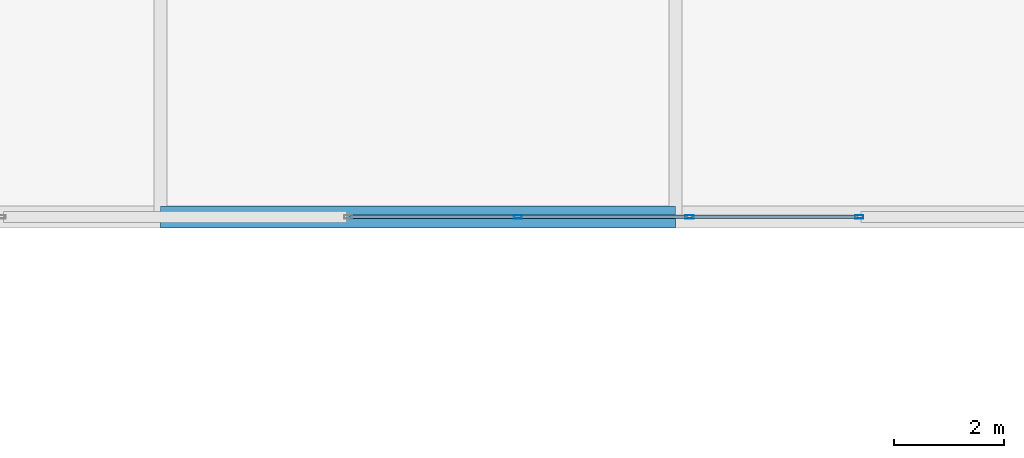
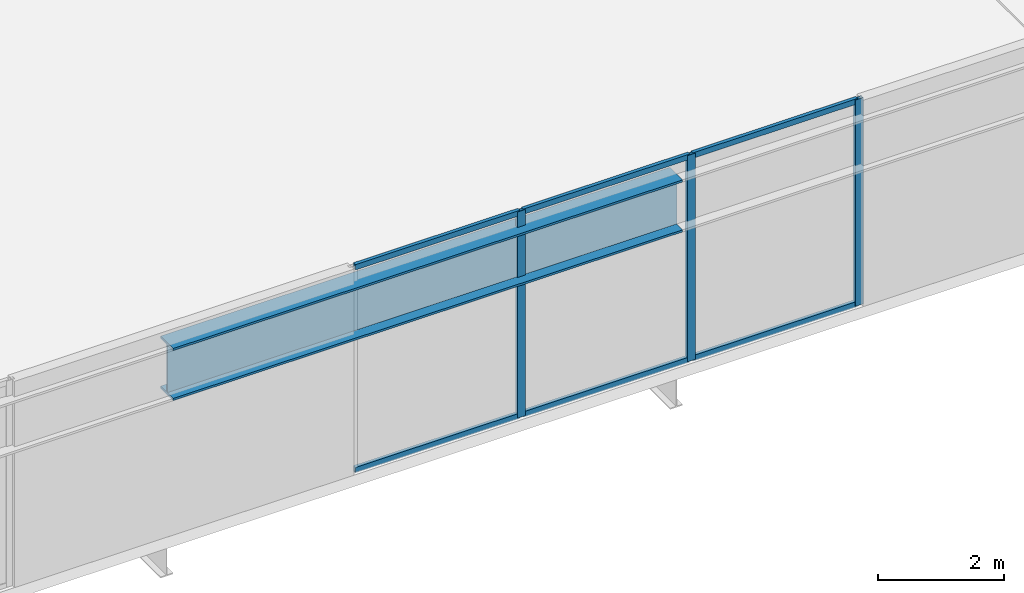
# One storey, part 21 of 51: 9 members, 1 beam, 1 element without a shape of its own.
"""IFC4 building model written with IfcOpenShell, lengths in metres."""

from ifc_helpers import new_model, si_unit, direction, frame, origin, origin_2d, place, context, subcontext, project, spatial, hollow_rectangle, i_section, extrude, material, material_profile, profile_set, type_object, element, aggregate, save


model = new_model("IFC4")

# Units and contexts
model_context = context("Model", 3, precision=1e-05, world=origin(), true_north=direction((0.0, 1.0)))
body_context = subcontext(model_context, "Body", "Model", "MODEL_VIEW")
ifc_project = project(units=[si_unit("LENGTHUNIT", "METRE"), si_unit("AREAUNIT", "SQUARE_METRE"), si_unit("VOLUMEUNIT", "CUBIC_METRE"), si_unit("PLANEANGLEUNIT", "RADIAN"), si_unit("MASSUNIT", "GRAM", prefix="KILO")], contexts=[model_context])

# Site, building, storey
site_placement = place(None, origin())
site = spatial("IfcSite", under=ifc_project, at=site_placement, CompositionType="ELEMENT")
building_placement = place(site_placement, origin())
building = spatial("IfcBuilding", under=site, at=building_placement, Name="Tashvorn Skyway Center", CompositionType="ELEMENT")
storey_placement = place(building_placement, frame((0.0, 0.0, 259.39990234375)))
storey = spatial("IfcBuildingStorey", under=building, at=storey_placement, Name="L70", CompositionType="ELEMENT", Elevation=259.39990234375)

# Beam
ifc_material_1 = material(Name="Steel ASTM A913 Grade 65", Category="steel")
ifc_material_profile_1 = material_profile(ifc_material_1, i_section(OverallWidth=0.40087890625, OverallDepth=1.010986328125, WebThickness=0.023681640625, FlangeThickness=0.0419921875, at=origin_2d()), Name="W40X297")
ifc_profile_set_1 = profile_set([ifc_material_profile_1], Name="Steel ASTM A913 Grade 65")
beam_type = type_object("IfcBeamType", Name="BM-BEAM-W40X297", PredefinedType="BEAM", material=ifc_profile_set_1)
beam_placement = place(storey_placement, frame((75.75, 24.10009765625, 3.194580078125), z_axis=(1.0, 0.0, 0.0), x_axis=(0.0, 1.0, 0.0)))
element("IfcBeam", 1, at=beam_placement, inside=storey, type_object=beam_type, Name="Sky-Park Truss 1 Top Chord Panel 08", PredefinedType="BEAM", context=body_context, shape_type="SweptSolid", body=[
    extrude(i_section(OverallWidth=0.40087890625, OverallDepth=1.010986328125, WebThickness=0.023681640625, FlangeThickness=0.0419921875, at=origin_2d()), origin(), (0.0, 0.0, 1.0), 9.35009765625),
])

# Curtain wall, members
ifc_material_2 = material(Name="Thermally broken bronze-anodized aluminium 6063-T6", Category="aluminium")
curtain_wall_type = type_object("IfcCurtainWallType", Name="CW-CW-SKY", PredefinedType="NOTDEFINED", material=ifc_material_2)
curtain_wall_placement = place(storey_placement, origin())
curtain_wall = element("IfcCurtainWall", 2, at=curtain_wall_placement, inside=storey, type_object=curtain_wall_type, Name="Sky-Park L70 Bridge South Curtain Wall Glazing Group 1", PredefinedType="NOTDEFINED")
ifc_material_profile_2 = material_profile(ifc_material_2, hollow_rectangle(XDim=0.06494140625, YDim=0.14990234375, WallThickness=0.00390625, at=origin_2d()), Name="ALU-MULL-65x150")
ifc_profile_set_2 = profile_set([ifc_material_profile_2], Name="Thermally broken bronze-anodized aluminium 6063-T6")
member_type_1 = type_object("IfcMemberType", Name="CWM-CW-SKY", PredefinedType="MULLION", material=ifc_profile_set_2)
member_1_placement = place(storey_placement, frame((88.4375, 24.10009765625, 0.0), z_axis=(0.0, 0.0, 1.0), x_axis=(0.0, -1.0, 0.0)))
member_1 = element("IfcMember", 3, at=member_1_placement, type_object=member_type_1, Name="CW-SKY mullion 1", PredefinedType="MULLION", context=body_context, shape_type="SweptSolid", body=[
    extrude(hollow_rectangle(XDim=0.06494140625, YDim=0.14990234375, WallThickness=0.00390625, at=origin_2d()), origin(), (0.0, 0.0, 1.0), 4.0),
])
member_2_placement = place(storey_placement, frame((85.35498046875, 24.10009765625, 0.0), z_axis=(0.0, 0.0, 1.0), x_axis=(0.0, -1.0, 0.0)))
member_2 = element("IfcMember", 4, at=member_2_placement, type_object=member_type_1, Name="CW-SKY mullion 2", PredefinedType="MULLION", context=body_context, shape_type="SweptSolid", body=[
    extrude(hollow_rectangle(XDim=0.06494140625, YDim=0.14990234375, WallThickness=0.00390625, at=origin_2d()), origin(), (0.0, 0.0, 1.0), 4.0),
])
member_3_placement = place(storey_placement, frame((82.239990234375, 24.10009765625, 0.0), z_axis=(0.0, 0.0, 1.0), x_axis=(0.0, -1.0, 0.0)))
member_3 = element("IfcMember", 5, at=member_3_placement, type_object=member_type_1, Name="CW-SKY mullion 3", PredefinedType="MULLION", context=body_context, shape_type="SweptSolid", body=[
    extrude(hollow_rectangle(XDim=0.06494140625, YDim=0.14990234375, WallThickness=0.00390625, at=origin_2d()), origin(), (0.0, 0.0, 1.0), 4.0),
])
ifc_material_profile_3 = material_profile(ifc_material_2, hollow_rectangle(XDim=0.06494140625, YDim=0.10498046875, WallThickness=0.00390625, at=origin_2d()), Name="ALU-TRAN-65x105")
ifc_profile_set_3 = profile_set([ifc_material_profile_3], Name="Thermally broken bronze-anodized aluminium 6063-T6")
member_type_2 = type_object("IfcMemberType", Name="CWT-CW-SKY", PredefinedType="USERDEFINED", material=ifc_profile_set_3)
member_4_placement = place(storey_placement, frame((88.405029296875, 24.10009765625, 0.03271484375), z_axis=(-1.0, 0.0, 0.0), x_axis=(0.0, -1.0, 0.0)))
member_4 = element("IfcMember", 6, at=member_4_placement, type_object=member_type_2, Name="CW-SKY transom 1.1", ObjectType="TRANSOM", PredefinedType="USERDEFINED", context=body_context, shape_type="SweptSolid", body=[
    extrude(hollow_rectangle(XDim=0.06494140625, YDim=0.10498046875, WallThickness=0.00390625, at=origin_2d()), origin(), (0.0, 0.0, 1.0), 3.017578125),
])
member_5_placement = place(storey_placement, frame((88.405029296875, 24.10009765625, 3.967529296875), z_axis=(-1.0, 0.0, 0.0), x_axis=(0.0, -1.0, 0.0)))
member_5 = element("IfcMember", 7, at=member_5_placement, type_object=member_type_2, Name="CW-SKY transom 1.2", ObjectType="TRANSOM", PredefinedType="USERDEFINED", context=body_context, shape_type="SweptSolid", body=[
    extrude(hollow_rectangle(XDim=0.06494140625, YDim=0.10498046875, WallThickness=0.00390625, at=origin_2d()), origin(), (0.0, 0.0, 1.0), 3.017578125),
])
member_6_placement = place(storey_placement, frame((85.322509765625, 24.10009765625, 0.03271484375), z_axis=(-1.0, 0.0, 0.0), x_axis=(0.0, -1.0, 0.0)))
member_6 = element("IfcMember", 8, at=member_6_placement, type_object=member_type_2, Name="CW-SKY transom 2.1", ObjectType="TRANSOM", PredefinedType="USERDEFINED", context=body_context, shape_type="SweptSolid", body=[
    extrude(hollow_rectangle(XDim=0.06494140625, YDim=0.10498046875, WallThickness=0.00390625, at=origin_2d()), origin(), (0.0, 0.0, 1.0), 3.050048828125),
])
member_7_placement = place(storey_placement, frame((85.322509765625, 24.10009765625, 3.967529296875), z_axis=(-1.0, 0.0, 0.0), x_axis=(0.0, -1.0, 0.0)))
member_7 = element("IfcMember", 9, at=member_7_placement, type_object=member_type_2, Name="CW-SKY transom 2.2", ObjectType="TRANSOM", PredefinedType="USERDEFINED", context=body_context, shape_type="SweptSolid", body=[
    extrude(hollow_rectangle(XDim=0.06494140625, YDim=0.10498046875, WallThickness=0.00390625, at=origin_2d()), origin(), (0.0, 0.0, 1.0), 3.050048828125),
])
member_8_placement = place(storey_placement, frame((82.20751953125, 24.10009765625, 0.03271484375), z_axis=(-1.0, 0.0, 0.0), x_axis=(0.0, -1.0, 0.0)))
member_8 = element("IfcMember", 10, at=member_8_placement, type_object=member_type_2, Name="CW-SKY transom 3.1", ObjectType="TRANSOM", PredefinedType="USERDEFINED", context=body_context, shape_type="SweptSolid", body=[
    extrude(hollow_rectangle(XDim=0.06494140625, YDim=0.10498046875, WallThickness=0.00390625, at=origin_2d()), origin(), (0.0, 0.0, 1.0), 3.017578125),
])
member_9_placement = place(storey_placement, frame((82.20751953125, 24.10009765625, 3.967529296875), z_axis=(-1.0, 0.0, 0.0), x_axis=(0.0, -1.0, 0.0)))
member_9 = element("IfcMember", 11, at=member_9_placement, type_object=member_type_2, Name="CW-SKY transom 3.2", ObjectType="TRANSOM", PredefinedType="USERDEFINED", context=body_context, shape_type="SweptSolid", body=[
    extrude(hollow_rectangle(XDim=0.06494140625, YDim=0.10498046875, WallThickness=0.00390625, at=origin_2d()), origin(), (0.0, 0.0, 1.0), 3.017578125),
])
aggregate(curtain_wall, [member_1, member_2, member_3, member_4, member_5, member_6, member_7, member_8, member_9])

save(model, "model.ifc")
